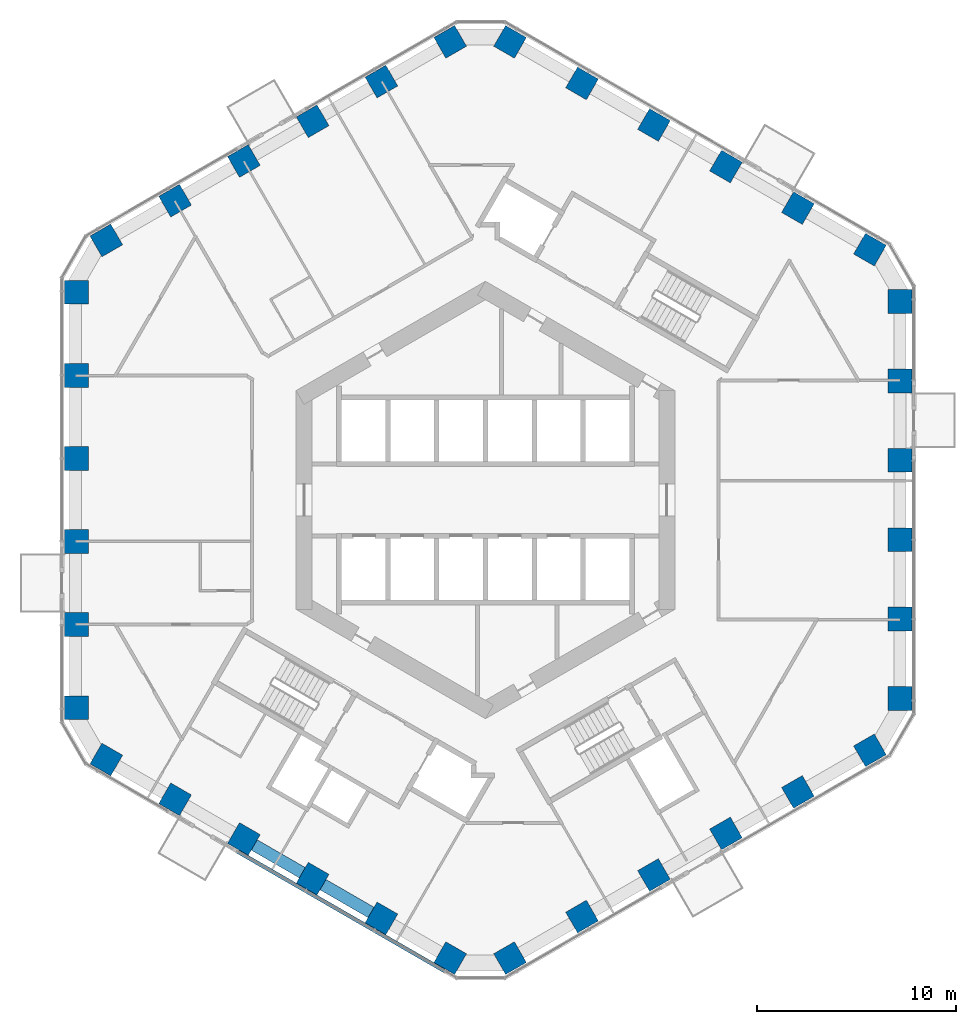
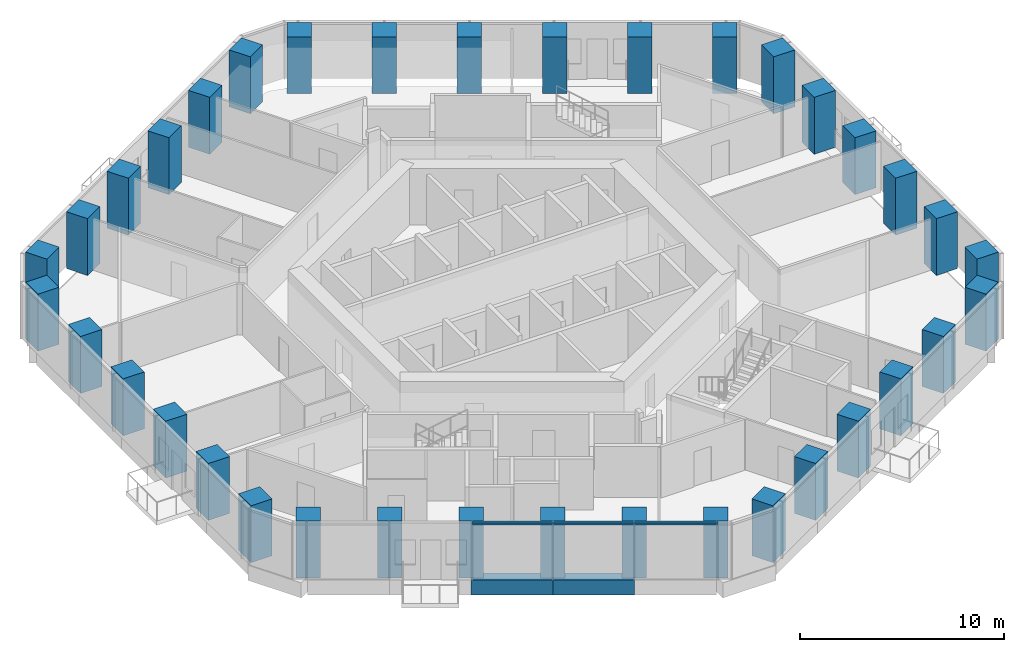
# One storey, part 1 of 19: 36 columns, 2 beams, 1 member, 1 element without a shape of its own.
"""IFC4 building model written with IfcOpenShell, lengths in metres."""

from ifc_helpers import new_model, si_unit, direction, frame, origin, origin_2d, place, context, subcontext, project, spatial, rectangle, extrude, material, layer, layer_set, material_profile, profile_set, type_object, element, aggregate, save


model = new_model("IFC4")

# Units and contexts
model_context = context("Model", 3, precision=1e-05, world=origin(), true_north=direction((0.0, 1.0)))
body_context = subcontext(model_context, "Body", "Model", "MODEL_VIEW")
ifc_project = project(units=[si_unit("LENGTHUNIT", "METRE"), si_unit("AREAUNIT", "SQUARE_METRE"), si_unit("VOLUMEUNIT", "CUBIC_METRE"), si_unit("PLANEANGLEUNIT", "RADIAN"), si_unit("MASSUNIT", "GRAM", prefix="KILO")], contexts=[model_context])

# Site, building, storey
site_placement = place(None, origin())
site = spatial("IfcSite", under=ifc_project, at=site_placement, CompositionType="ELEMENT")
building_placement = place(site_placement, origin())
building = spatial("IfcBuilding", under=site, at=building_placement, Name="Ayvan Gate Tower", CompositionType="ELEMENT")
storey_placement = place(building_placement, frame((0.0, 0.0, 39.10009765625)))
storey = spatial("IfcBuildingStorey", under=building, at=storey_placement, Name="L09", CompositionType="ELEMENT", Elevation=39.10009765625)

# Columns
ifc_material_1 = material(Name="Concrete C70/85", Category="concrete")
ifc_material_profile_1 = material_profile(ifc_material_1, rectangle(XDim=1.199951171875, YDim=1.199951171875, at=origin_2d()), Name="RC 1200x1200")
ifc_profile_set_1 = profile_set([ifc_material_profile_1], Name="Concrete C70/85")
column_type = type_object("IfcColumnType", Name="Tube column RC 1200x1200 C70/85", PredefinedType="COLUMN", material=ifc_profile_set_1)
for number, where, z_axis, x_axis, name in (
    (1, (20.78466796875, -9.95947265625, 0.0), (0.0, 0.0, 1.0), (1.0, 0.0, 0.0), "C-T0-0-L09"),
    (2, (20.78466796875, -5.975830078125, 0.0), (0.0, 0.0, 1.0), (1.0, 0.0, 0.0), "C-T0-1-L09"),
    (3, (20.78466796875, -1.991943359375, 0.0), (0.0, 0.0, 1.0), (1.0, 0.0, 0.0), "C-T0-2-L09"),
    (4, (20.78466796875, 1.991943359375, 0.0), (0.0, 0.0, 1.0), (1.0, 0.0, 0.0), "C-T0-3-L09"),
    (5, (20.78466796875, 5.975830078125, 0.0), (0.0, 0.0, 1.0), (1.0, 0.0, 0.0), "C-T0-4-L09"),
    (6, (20.78466796875, 9.95947265625, 0.0), (0.0, 0.0, 1.0), (1.0, 0.0, 0.0), "C-T0-5-L09"),
    (7, (19.28466796875, 12.5576171875, 0.0), (0.0, 0.0, 1.0), (0.5, 0.866025403784, 0.0), "C-T1-0-L09"),
    (8, (15.67431640625, 14.64208984375, 0.0), (0.0, 0.0, 1.0), (0.5, 0.866025403784, 0.0), "C-T1-1-L09"),
    (9, (12.06396484375, 16.7265625, 0.0), (0.0, 0.0, 1.0), (0.5, 0.866025403784, 0.0), "C-T1-2-L09"),
    (10, (8.45361328125, 18.81103515625, 0.0), (0.0, 0.0, 1.0), (0.5, 0.866025403784, 0.0), "C-T1-3-L09"),
    (11, (4.84326171875, 20.895263671875, 0.0), (0.0, 0.0, 1.0), (0.5, 0.866025403784, 0.0), "C-T1-4-L09"),
    (12, (1.23291015625, 22.979736328125, 0.0), (0.0, 0.0, 1.0), (0.5, 0.866025403784, 0.0), "C-T1-5-L09"),
    (13, (-1.76708984375, 22.979736328125, 0.0), (0.0, 0.0, 1.0), (-0.5, 0.866025403784, 0.0), "C-T2-0-L09"),
    (14, (-5.217041015625, 20.98779296875, 0.0), (0.0, 0.0, 1.0), (-0.5, 0.866025403784, 0.0), "C-T2-1-L09"),
    (15, (-8.667236328125, 18.995849609375, 0.0), (0.0, 0.0, 1.0), (-0.5, 0.866025403784, 0.0), "C-T2-2-L09"),
    (16, (-12.117431640625, 17.004150390625, 0.0), (0.0, 0.0, 1.0), (-0.5, 0.866025403784, 0.0), "C-T2-3-L09"),
    (17, (-15.5673828125, 15.01220703125, 0.0), (0.0, 0.0, 1.0), (-0.5, 0.866025403784, 0.0), "C-T2-4-L09"),
    (18, (-19.017578125, 13.020263671875, 0.0), (0.0, 0.0, 1.0), (-0.5, 0.866025403784, 0.0), "C-T2-5-L09"),
    (19, (-20.517578125, 10.422119140625, 0.0), (0.0, 0.0, 1.0), (-1.0, 0.0, 0.0), "C-T3-0-L09"),
    (20, (-20.517578125, 6.253173828125, 0.0), (0.0, 0.0, 1.0), (-1.0, 0.0, 0.0), "C-T3-1-L09"),
    (21, (-20.517578125, 2.08447265625, 0.0), (0.0, 0.0, 1.0), (-1.0, 0.0, 0.0), "C-T3-2-L09"),
    (22, (-20.517578125, -2.08447265625, 0.0), (0.0, 0.0, 1.0), (-1.0, 0.0, 0.0), "C-T3-3-L09"),
    (23, (-20.517578125, -6.253173828125, 0.0), (0.0, 0.0, 1.0), (-1.0, 0.0, 0.0), "C-T3-4-L09"),
    (24, (-20.517578125, -10.422119140625, 0.0), (0.0, 0.0, 1.0), (-1.0, 0.0, 0.0), "C-T3-5-L09"),
    (25, (-19.017578125, -13.020263671875, 0.0), (0.0, 0.0, 1.0), (-0.5, -0.866025403784, 0.0), "C-T4-0-L09"),
    (26, (-15.5673828125, -15.01220703125, 0.0), (0.0, 0.0, 1.0), (-0.5, -0.866025403784, 0.0), "C-T4-1-L09"),
    (27, (-12.117431640625, -17.004150390625, 0.0), (0.0, 0.0, 1.0), (-0.5, -0.866025403784, 0.0), "C-T4-2-L09"),
    (28, (-8.667236328125, -18.995849609375, 0.0), (0.0, 0.0, 1.0), (-0.5, -0.866025403784, 0.0), "C-T4-3-L09"),
    (29, (-5.217041015625, -20.98779296875, 0.0), (0.0, 0.0, 1.0), (-0.5, -0.866025403784, 0.0), "C-T4-4-L09"),
    (30, (-1.76708984375, -22.979736328125, 0.0), (0.0, 0.0, 1.0), (-0.5, -0.866025403784, 0.0), "C-T4-5-L09"),
    (31, (1.23291015625, -22.979736328125, 0.0), (0.0, 0.0, 1.0), (0.5, -0.866025403784, 0.0), "C-T5-0-L09"),
    (32, (4.84326171875, -20.895263671875, 0.0), (0.0, 0.0, 1.0), (0.5, -0.866025403784, 0.0), "C-T5-1-L09"),
    (33, (8.45361328125, -18.81103515625, 0.0), (0.0, 0.0, 1.0), (0.5, -0.866025403784, 0.0), "C-T5-2-L09"),
    (34, (12.06396484375, -16.7265625, 0.0), (0.0, 0.0, 1.0), (0.5, -0.866025403784, 0.0), "C-T5-3-L09"),
    (35, (15.67431640625, -14.64208984375, 0.0), (0.0, 0.0, 1.0), (0.5, -0.866025403784, 0.0), "C-T5-4-L09"),
    (36, (19.28466796875, -12.5576171875, 0.0), (0.0, 0.0, 1.0), (0.5, -0.866025403784, 0.0), "C-T5-5-L09"),
):
    element("IfcColumn", number, at=place(storey_placement, frame(where, z_axis=z_axis, x_axis=x_axis)), inside=storey, type_object=column_type, Name=name, PredefinedType="COLUMN", context=body_context, shape_type="SweptSolid", body=[
        extrude(rectangle(XDim=1.199951171875, YDim=1.199951171875, at=origin_2d()), origin(), (0.0, 0.0, 1.0), 3.39990234375),
    ])

# Beams
ifc_material_2 = material(Name="Concrete C40/50", Category="concrete")
ifc_material_profile_2 = material_profile(ifc_material_2, rectangle(XDim=0.60009765625, YDim=0.89990234375, at=origin_2d()), Name="RC 600x900")
ifc_profile_set_2 = profile_set([ifc_material_profile_2], Name="Concrete C40/50")
beam_type = type_object("IfcBeamType", Name="Spandrel beam RC 600x900 C40/50", PredefinedType="BEAM", material=ifc_profile_set_2)
for number, where, z_axis, x_axis, name in (
    (37, (-12.1259765625, -16.9990234375, -0.800048828125), (0.866028199139, -0.499995158272, 0.0), (0.499995158272, 0.866028199139, 0.0), "SB-L09-27"),
    (38, (-8.658447265625, -19.0009765625, -0.800048828125), (0.866028199139, -0.499995158272, 0.0), (0.499995158272, 0.866028199139, 0.0), "SB-L09-28"),
):
    element("IfcBeam", number, at=place(storey_placement, frame(where, z_axis=z_axis, x_axis=x_axis)), inside=storey, type_object=beam_type, Name=name, PredefinedType="BEAM", context=body_context, shape_type="SweptSolid", body=[
        extrude(rectangle(XDim=0.60009765625, YDim=0.89990234375, at=origin_2d()), origin(), (0.0, 0.0, 1.0), 4.00390625),
    ])

# Curtain wall, member
ifc_material_3 = material(Name="Bronze anodised aluminium", Category="aluminium")
ifc_layer = layer(ifc_material_3, 0.199951171875)
ifc_layer_set = layer_set([ifc_layer], Name="Bronze anodised aluminium")
curtain_wall_type = type_object("IfcCurtainWallType", Name="Stick curtain wall CW-1", PredefinedType="NOTDEFINED", material=ifc_layer_set)
curtain_wall_placement = place(storey_placement, origin())
curtain_wall = element("IfcCurtainWall", 39, at=curtain_wall_placement, inside=storey, type_object=curtain_wall_type, Name="Stick curtain wall CW-1 L09", PredefinedType="NOTDEFINED")
ifc_material_profile_3 = material_profile(ifc_material_3, rectangle(XDim=0.199951171875, YDim=0.1201171875, at=origin_2d()), Name="Stick curtain wall CW-1 transom 200 x 120")
ifc_profile_set_3 = profile_set([ifc_material_profile_3], Name="Bronze anodised aluminium")
member_type = type_object("IfcMemberType", Name="Stick curtain wall CW-1 transom 200 x 120", PredefinedType="USERDEFINED", material=ifc_profile_set_3)
member_placement = place(storey_placement, frame((-12.44140625, -17.625244140625, 3.33984375), z_axis=(0.866025573782, -0.499999705555, 0.0), x_axis=(0.499999705555, 0.866025573782, 0.0)))
member = element("IfcMember", 40, at=member_placement, type_object=member_type, Name="CW-1 transom 1", ObjectType="TRANSOM", PredefinedType="USERDEFINED", context=body_context, shape_type="SweptSolid", body=[
    extrude(rectangle(XDim=0.199951171875, YDim=0.1201171875, at=origin_2d()), origin(), (0.0, 0.0, 1.0), 12.01806640625),
])
aggregate(curtain_wall, [member])

save(model, "model.ifc")
